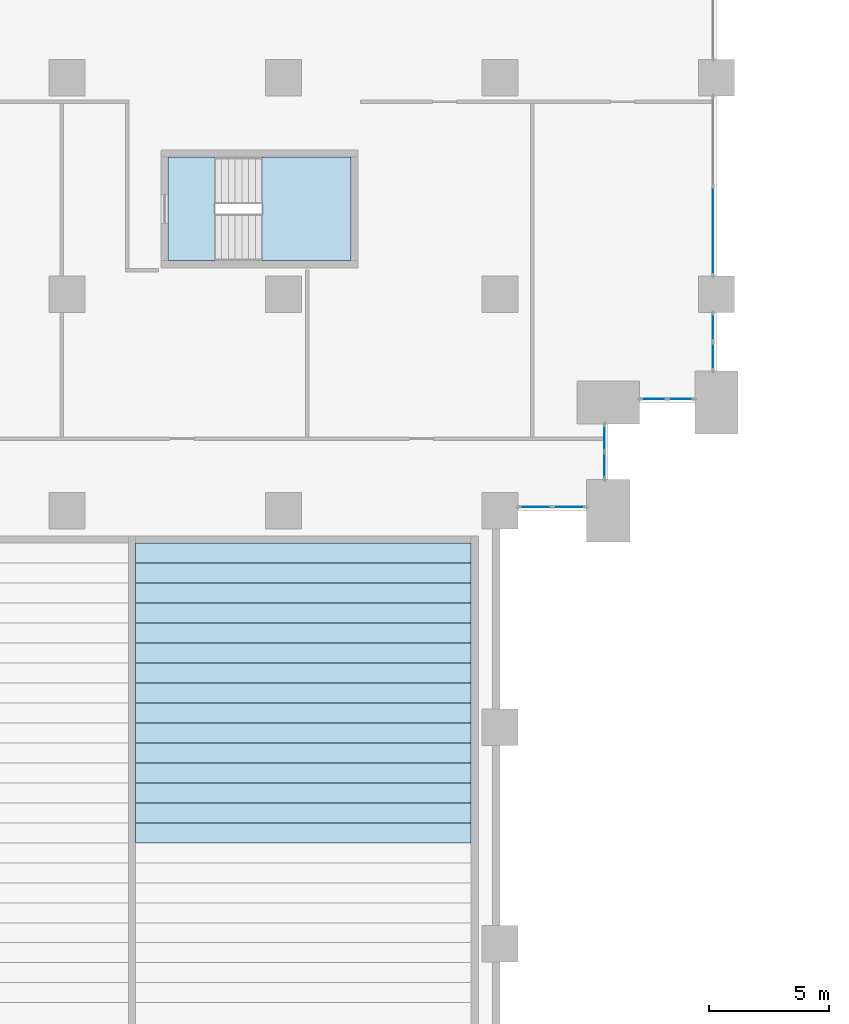
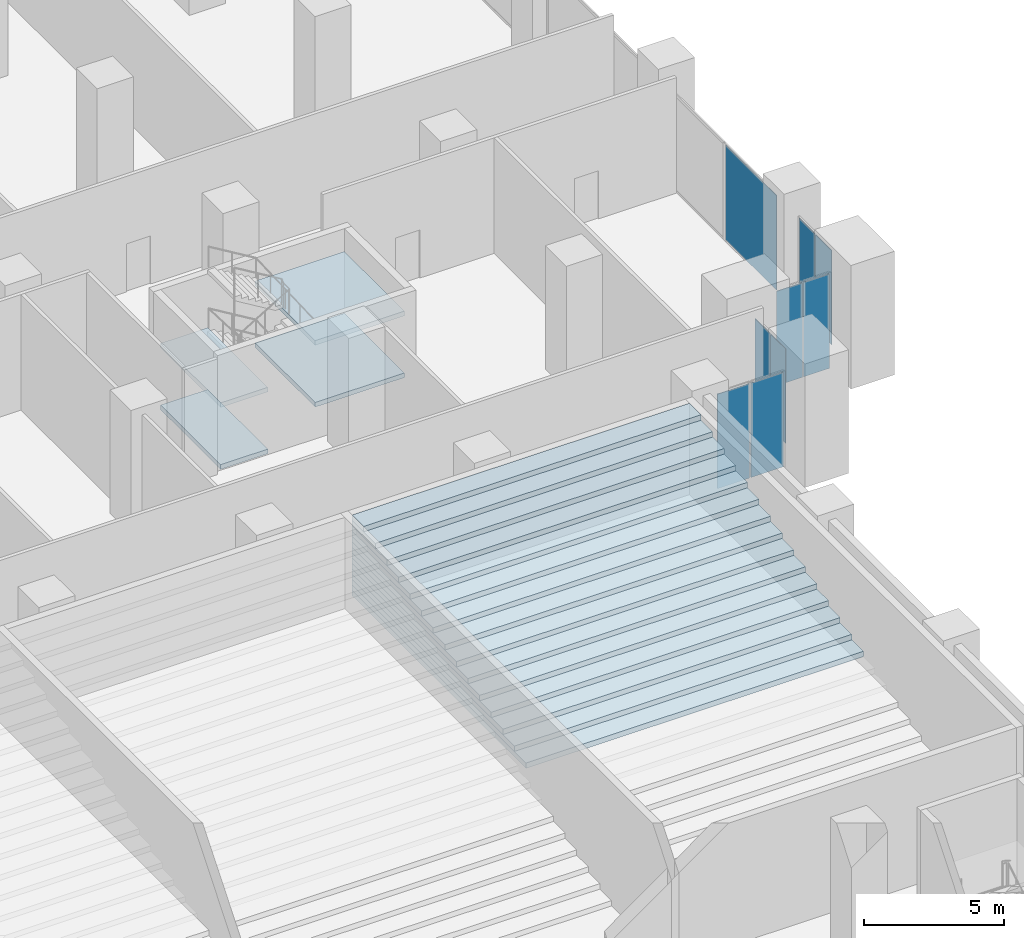
# One storey, part 12 of 44: 19 slabs, 9 plates, 6 elements without a shape of their own.
"""IFC4 building model written with IfcOpenShell, lengths in metres."""

from ifc_helpers import new_model, si_unit, direction, frame, origin, origin_2d, place, context, subcontext, project, spatial, polyline, rectangle, outline, extrude, material, layer, layer_set, type_object, element, aggregate, save


model = new_model("IFC4")

# Units and contexts
model_context = context("Model", 3, precision=1e-05, world=origin(), true_north=direction((0.0, 1.0)))
body_context = subcontext(model_context, "Body", "Model", "MODEL_VIEW")
ifc_project = project(units=[si_unit("LENGTHUNIT", "METRE"), si_unit("AREAUNIT", "SQUARE_METRE"), si_unit("VOLUMEUNIT", "CUBIC_METRE"), si_unit("PLANEANGLEUNIT", "RADIAN"), si_unit("MASSUNIT", "GRAM", prefix="KILO")], contexts=[model_context])

# Site, building, storey
site_placement = place(None, origin())
site = spatial("IfcSite", under=ifc_project, at=site_placement, CompositionType="ELEMENT")
building_placement = place(site_placement, origin())
building = spatial("IfcBuilding", under=site, at=building_placement, Name="Hunhe Ridgeline Campus", CompositionType="ELEMENT")
storey_placement = place(building_placement, frame((0.0, 0.0, 6.0)))
storey = spatial("IfcBuildingStorey", under=building, at=storey_placement, Name="L01", CompositionType="ELEMENT", Elevation=6.0)

# Curtain wall, plates
ifc_material_1 = material(Name="Aluminium and glass", Category="aluminium")
curtain_wall_type = type_object("IfcCurtainWallType", Name="Podium curtain wall CW-2", PredefinedType="NOTDEFINED", material=ifc_material_1)
curtain_wall_1_placement = place(storey_placement, origin())
curtain_wall_1 = element("IfcCurtainWall", 1, at=curtain_wall_1_placement, inside=storey, type_object=curtain_wall_type, Name="L01 podium curtain wall 1", PredefinedType="NOTDEFINED")
ifc_material_2 = material(Name="Clear glass", Category="glass")
ifc_layer_1 = layer(ifc_material_2, 0.028076171875)
ifc_layer_set_1 = layer_set([ifc_layer_1], Name="CW-2 clear glass panel 28")
plate_type = type_object("IfcPlateType", Name="CW-2 clear glass panel 28", PredefinedType="CURTAIN_PANEL", material=ifc_layer_set_1)
plate_1_placement = place(storey_placement, frame((91.4775390625, 54.14990234375, 0.06005859375), z_axis=(0.0, 0.0, 1.0), x_axis=(1.0, 0.0, 0.0)))
plate_1 = element("IfcPlate", 2, at=plate_1_placement, type_object=plate_type, Name="CW2 panel 1.1", PredefinedType="CURTAIN_PANEL", context=body_context, shape_type="SweptSolid", body=[
    extrude(rectangle(XDim=1.3349609375, YDim=0.028076171875, at=origin_2d()), origin(), (0.0, 0.0, 1.0), 4.1298828125),
])
plate_2_placement = place(storey_placement, frame((92.87255859375, 54.14990234375, 0.06005859375), z_axis=(0.0, 0.0, 1.0), x_axis=(1.0, 0.0, 0.0)))
plate_2 = element("IfcPlate", 3, at=plate_2_placement, type_object=plate_type, Name="CW2 panel 2.1", PredefinedType="CURTAIN_PANEL", context=body_context, shape_type="SweptSolid", body=[
    extrude(rectangle(XDim=1.3349609375, YDim=0.028076171875, at=origin_2d()), origin(), (0.0, 0.0, 1.0), 4.1298828125),
])
aggregate(curtain_wall_1, [plate_1, plate_2])

curtain_wall_2_placement = place(storey_placement, origin())
curtain_wall_2 = element("IfcCurtainWall", 4, at=curtain_wall_2_placement, inside=storey, type_object=curtain_wall_type, Name="L01 podium curtain wall 2", PredefinedType="NOTDEFINED")
plate_3_placement = place(storey_placement, frame((94.35009765625, 55.889892578125, 0.06005859375), z_axis=(0.0, 0.0, 1.0), x_axis=(0.0, 1.0, 0.0)))
plate_3 = element("IfcPlate", 5, at=plate_3_placement, type_object=plate_type, Name="CW2 panel 1.1", PredefinedType="CURTAIN_PANEL", context=body_context, shape_type="SweptSolid", body=[
    extrude(rectangle(XDim=1.06005859375, YDim=0.028076171875, at=origin_2d()), origin(), (0.0, 0.0, 1.0), 4.1298828125),
])
plate_4_placement = place(storey_placement, frame((94.35009765625, 57.010009765625, 0.06005859375), z_axis=(0.0, 0.0, 1.0), x_axis=(0.0, 1.0, 0.0)))
plate_4 = element("IfcPlate", 6, at=plate_4_placement, type_object=plate_type, Name="CW2 panel 2.1", PredefinedType="CURTAIN_PANEL", context=body_context, shape_type="SweptSolid", body=[
    extrude(rectangle(XDim=1.06005859375, YDim=0.028076171875, at=origin_2d()), origin(), (0.0, 0.0, 1.0), 4.1298828125),
])
aggregate(curtain_wall_2, [plate_3, plate_4])

curtain_wall_3_placement = place(storey_placement, origin())
curtain_wall_3 = element("IfcCurtainWall", 7, at=curtain_wall_3_placement, inside=storey, type_object=curtain_wall_type, Name="L01 podium curtain wall 3", PredefinedType="NOTDEFINED")
plate_5_placement = place(storey_placement, frame((96.389892578125, 58.64990234375, 0.06005859375), z_axis=(0.0, 0.0, 1.0), x_axis=(1.0, 0.0, 0.0)))
plate_5 = element("IfcPlate", 8, at=plate_5_placement, type_object=plate_type, Name="CW2 panel 1.1", PredefinedType="CURTAIN_PANEL", context=body_context, shape_type="SweptSolid", body=[
    extrude(rectangle(XDim=1.06005859375, YDim=0.028076171875, at=origin_2d()), origin(), (0.0, 0.0, 1.0), 4.1298828125),
])
plate_6_placement = place(storey_placement, frame((97.510009765625, 58.64990234375, 0.06005859375), z_axis=(0.0, 0.0, 1.0), x_axis=(1.0, 0.0, 0.0)))
plate_6 = element("IfcPlate", 9, at=plate_6_placement, type_object=plate_type, Name="CW2 panel 2.1", PredefinedType="CURTAIN_PANEL", context=body_context, shape_type="SweptSolid", body=[
    extrude(rectangle(XDim=1.06005859375, YDim=0.028076171875, at=origin_2d()), origin(), (0.0, 0.0, 1.0), 4.1298828125),
])
aggregate(curtain_wall_3, [plate_5, plate_6])

curtain_wall_4_placement = place(storey_placement, origin())
curtain_wall_4 = element("IfcCurtainWall", 10, at=curtain_wall_4_placement, inside=storey, type_object=curtain_wall_type, Name="L01 podium curtain wall 4", PredefinedType="NOTDEFINED")
plate_7_placement = place(storey_placement, frame((98.85009765625, 60.427490234375, 0.06005859375), z_axis=(0.0, 0.0, 1.0), x_axis=(0.0, 1.0, 0.0)))
plate_7 = element("IfcPlate", 11, at=plate_7_placement, type_object=plate_type, Name="CW2 panel 1.1", PredefinedType="CURTAIN_PANEL", context=body_context, shape_type="SweptSolid", body=[
    extrude(rectangle(XDim=1.135009765625, YDim=0.028076171875, at=origin_2d()), origin(), (0.0, 0.0, 1.0), 4.1298828125),
])
plate_8_placement = place(storey_placement, frame((98.85009765625, 61.62255859375, 0.06005859375), z_axis=(0.0, 0.0, 1.0), x_axis=(0.0, 1.0, 0.0)))
plate_8 = element("IfcPlate", 12, at=plate_8_placement, type_object=plate_type, Name="CW2 panel 2.1", PredefinedType="CURTAIN_PANEL", context=body_context, shape_type="SweptSolid", body=[
    extrude(rectangle(XDim=1.135009765625, YDim=0.028076171875, at=origin_2d()), origin(), (0.0, 0.0, 1.0), 4.1298828125),
])
aggregate(curtain_wall_4, [plate_7, plate_8])

# Curtain wall, plate
curtain_wall_5_placement = place(storey_placement, origin())
curtain_wall_5 = element("IfcCurtainWall", 13, at=curtain_wall_5_placement, inside=storey, type_object=curtain_wall_type, Name="L01 podium curtain wall 5", PredefinedType="NOTDEFINED")
plate_9_placement = place(storey_placement, frame((98.85009765625, 65.639892578125, 0.06005859375), z_axis=(0.0, 0.0, 1.0), x_axis=(0.0, 1.0, 0.0)))
plate_9 = element("IfcPlate", 14, at=plate_9_placement, type_object=plate_type, Name="CW2 panel 1.1", PredefinedType="CURTAIN_PANEL", context=body_context, shape_type="SweptSolid", body=[
    extrude(rectangle(XDim=3.659912109375, YDim=0.028076171875, at=origin_2d()), origin(), (0.0, 0.0, 1.0), 4.1298828125),
])
aggregate(curtain_wall_5, [plate_9])

# Slabs
ifc_material_3 = material(Name="Concrete C40", Category="concrete")
ifc_layer_2 = layer(ifc_material_3, 0.235107421875)
ifc_layer_set_2 = layer_set([ifc_layer_2], Name="Raked seating tier platform C40")
slab_type_1 = type_object("IfcSlabType", Name="Raked seating tier platform C40", PredefinedType="FLOOR", material=ifc_layer_set_2)
slab_1_placement = place(storey_placement, frame((0.0, 0.0, 1.87841796875)))
element("IfcSlab", 15, at=slab_1_placement, inside=storey, type_object=slab_type_1, Name="Lecture Hall C seating tier platform 9", PredefinedType="FLOOR", context=body_context, shape_type="SweptSolid", body=[
    extrude(outline(polyline([(74.85009765625, 40.193603515625), (88.800048828125, 40.193603515625), (88.800048828125, 52.64990234375), (74.85009765625, 52.64990234375), (74.85009765625, 40.193603515625)])), origin(), (0.0, 0.0, 1.0), 0.234619140625),
])
slab_2_placement = place(storey_placement, frame((0.0, 0.0, 2.113037109375)))
element("IfcSlab", 16, at=slab_2_placement, inside=storey, type_object=slab_type_1, Name="Lecture Hall C seating tier platform 10", PredefinedType="FLOOR", context=body_context, shape_type="SweptSolid", body=[
    extrude(outline(polyline([(74.85009765625, 41.02392578125), (88.800048828125, 41.02392578125), (88.800048828125, 52.64990234375), (74.85009765625, 52.64990234375), (74.85009765625, 41.02392578125)])), origin(), (0.0, 0.0, 1.0), 0.23486328125),
])
slab_3_placement = place(storey_placement, frame((0.0, 0.0, 2.347900390625)))
element("IfcSlab", 17, at=slab_3_placement, inside=storey, type_object=slab_type_1, Name="Lecture Hall C seating tier platform 11", PredefinedType="FLOOR", context=body_context, shape_type="SweptSolid", body=[
    extrude(outline(polyline([(74.85009765625, 41.854248046875), (88.800048828125, 41.854248046875), (88.800048828125, 52.64990234375), (74.85009765625, 52.64990234375), (74.85009765625, 41.854248046875)])), origin(), (0.0, 0.0, 1.0), 0.234619140625),
])
slab_4_placement = place(storey_placement, frame((0.0, 0.0, 2.58251953125)))
element("IfcSlab", 18, at=slab_4_placement, inside=storey, type_object=slab_type_1, Name="Lecture Hall C seating tier platform 12", PredefinedType="FLOOR", context=body_context, shape_type="SweptSolid", body=[
    extrude(outline(polyline([(74.85009765625, 42.684814453125), (88.800048828125, 42.684814453125), (88.800048828125, 52.64990234375), (74.85009765625, 52.64990234375), (74.85009765625, 42.684814453125)])), origin(), (0.0, 0.0, 1.0), 0.23486328125),
])
slab_5_placement = place(storey_placement, frame((0.0, 0.0, 2.8173828125)))
element("IfcSlab", 19, at=slab_5_placement, inside=storey, type_object=slab_type_1, Name="Lecture Hall C seating tier platform 13", PredefinedType="FLOOR", context=body_context, shape_type="SweptSolid", body=[
    extrude(outline(polyline([(74.85009765625, 43.51513671875), (88.800048828125, 43.51513671875), (88.800048828125, 52.64990234375), (74.85009765625, 52.64990234375), (74.85009765625, 43.51513671875)])), origin(), (0.0, 0.0, 1.0), 0.23486328125),
])
slab_6_placement = place(storey_placement, frame((0.0, 0.0, 3.05224609375)))
element("IfcSlab", 20, at=slab_6_placement, inside=storey, type_object=slab_type_1, Name="Lecture Hall C seating tier platform 14", PredefinedType="FLOOR", context=body_context, shape_type="SweptSolid", body=[
    extrude(outline(polyline([(74.85009765625, 44.345703125), (88.800048828125, 44.345703125), (88.800048828125, 52.64990234375), (74.85009765625, 52.64990234375), (74.85009765625, 44.345703125)])), origin(), (0.0, 0.0, 1.0), 0.23486328125),
])
slab_7_placement = place(storey_placement, frame((0.0, 0.0, 3.287109375)))
element("IfcSlab", 21, at=slab_7_placement, inside=storey, type_object=slab_type_1, Name="Lecture Hall C seating tier platform 15", PredefinedType="FLOOR", context=body_context, shape_type="SweptSolid", body=[
    extrude(outline(polyline([(74.85009765625, 45.176025390625), (88.800048828125, 45.176025390625), (88.800048828125, 52.64990234375), (74.85009765625, 52.64990234375), (74.85009765625, 45.176025390625)])), origin(), (0.0, 0.0, 1.0), 0.234619140625),
])
slab_8_placement = place(storey_placement, frame((0.0, 0.0, 3.521728515625)))
element("IfcSlab", 22, at=slab_8_placement, inside=storey, type_object=slab_type_1, Name="Lecture Hall C seating tier platform 16", PredefinedType="FLOOR", context=body_context, shape_type="SweptSolid", body=[
    extrude(outline(polyline([(74.85009765625, 46.006591796875), (88.800048828125, 46.006591796875), (88.800048828125, 52.64990234375), (74.85009765625, 52.64990234375), (74.85009765625, 46.006591796875)])), origin(), (0.0, 0.0, 1.0), 0.23486328125),
])
slab_9_placement = place(storey_placement, frame((0.0, 0.0, 3.756591796875)))
element("IfcSlab", 23, at=slab_9_placement, inside=storey, type_object=slab_type_1, Name="Lecture Hall C seating tier platform 17", PredefinedType="FLOOR", context=body_context, shape_type="SweptSolid", body=[
    extrude(outline(polyline([(74.85009765625, 46.8369140625), (88.800048828125, 46.8369140625), (88.800048828125, 52.64990234375), (74.85009765625, 52.64990234375), (74.85009765625, 46.8369140625)])), origin(), (0.0, 0.0, 1.0), 0.234619140625),
])
slab_10_placement = place(storey_placement, frame((0.0, 0.0, 3.9912109375)))
element("IfcSlab", 24, at=slab_10_placement, inside=storey, type_object=slab_type_1, Name="Lecture Hall C seating tier platform 18", PredefinedType="FLOOR", context=body_context, shape_type="SweptSolid", body=[
    extrude(outline(polyline([(74.85009765625, 47.66748046875), (88.800048828125, 47.66748046875), (88.800048828125, 52.64990234375), (74.85009765625, 52.64990234375), (74.85009765625, 47.66748046875)])), origin(), (0.0, 0.0, 1.0), 0.23486328125),
])
slab_11_placement = place(storey_placement, frame((0.0, 0.0, 4.22607421875)))
element("IfcSlab", 25, at=slab_11_placement, inside=storey, type_object=slab_type_1, Name="Lecture Hall C seating tier platform 19", PredefinedType="FLOOR", context=body_context, shape_type="SweptSolid", body=[
    extrude(outline(polyline([(74.85009765625, 48.497802734375), (88.800048828125, 48.497802734375), (88.800048828125, 52.64990234375), (74.85009765625, 52.64990234375), (74.85009765625, 48.497802734375)])), origin(), (0.0, 0.0, 1.0), 0.23486328125),
])
slab_12_placement = place(storey_placement, frame((0.0, 0.0, 4.4609375)))
element("IfcSlab", 26, at=slab_12_placement, inside=storey, type_object=slab_type_1, Name="Lecture Hall C seating tier platform 20", PredefinedType="FLOOR", context=body_context, shape_type="SweptSolid", body=[
    extrude(outline(polyline([(74.85009765625, 49.328369140625), (88.800048828125, 49.328369140625), (88.800048828125, 52.64990234375), (74.85009765625, 52.64990234375), (74.85009765625, 49.328369140625)])), origin(), (0.0, 0.0, 1.0), 0.23486328125),
])
slab_13_placement = place(storey_placement, frame((0.0, 0.0, 4.69580078125)))
element("IfcSlab", 27, at=slab_13_placement, inside=storey, type_object=slab_type_1, Name="Lecture Hall C seating tier platform 21", PredefinedType="FLOOR", context=body_context, shape_type="SweptSolid", body=[
    extrude(outline(polyline([(74.85009765625, 50.15869140625), (88.800048828125, 50.15869140625), (88.800048828125, 52.64990234375), (74.85009765625, 52.64990234375), (74.85009765625, 50.15869140625)])), origin(), (0.0, 0.0, 1.0), 0.234619140625),
])
slab_14_placement = place(storey_placement, frame((0.0, 0.0, 4.930419921875)))
element("IfcSlab", 28, at=slab_14_placement, inside=storey, type_object=slab_type_1, Name="Lecture Hall C seating tier platform 22", PredefinedType="FLOOR", context=body_context, shape_type="SweptSolid", body=[
    extrude(outline(polyline([(74.85009765625, 50.989013671875), (88.800048828125, 50.989013671875), (88.800048828125, 52.64990234375), (74.85009765625, 52.64990234375), (74.85009765625, 50.989013671875)])), origin(), (0.0, 0.0, 1.0), 0.23486328125),
])
slab_15_placement = place(storey_placement, frame((0.0, 0.0, 5.165283203125)))
element("IfcSlab", 29, at=slab_15_placement, inside=storey, type_object=slab_type_1, Name="Lecture Hall C seating tier platform 23", PredefinedType="FLOOR", context=body_context, shape_type="SweptSolid", body=[
    extrude(outline(polyline([(74.85009765625, 51.819580078125), (88.800048828125, 51.819580078125), (88.800048828125, 52.64990234375), (74.85009765625, 52.64990234375), (74.85009765625, 51.819580078125)])), origin(), (0.0, 0.0, 1.0), 0.234619140625),
])

# Stair, slabs
stair_type = type_object("IfcStairType", Name="Reinforced concrete dog-leg stair 1950 Concrete C40", PredefinedType="HALF_TURN_STAIR", material=ifc_material_3)
stair_placement = place(storey_placement, origin())
stair = element("IfcStair", 30, at=stair_placement, inside=storey, type_object=stair_type, Name="L01 E5", PredefinedType="HALF_TURN_STAIR")
ifc_layer_3 = layer(ifc_material_3, 0.199951171875)
ifc_layer_set_3 = layer_set([ifc_layer_3], Name="Reinforced concrete stair landing 200 Concrete C40")
slab_type_2 = type_object("IfcSlabType", Name="Reinforced concrete stair landing 200 Concrete C40", PredefinedType="LANDING", material=ifc_layer_set_3)
slab_16_placement = place(storey_placement, frame((0.0, 0.0, 1.14990234375)))
slab_16 = element("IfcSlab", 31, at=slab_16_placement, type_object=slab_type_2, Name="ST10 landing 1", PredefinedType="LANDING", context=body_context, shape_type="SweptSolid", body=[
    extrude(outline(polyline([(80.110107421875, 64.39990234375), (83.800048828125, 64.39990234375), (83.800048828125, 68.699951171875), (80.110107421875, 68.699951171875), (80.110107421875, 64.39990234375)])), origin(), (0.0, 0.0, 1.0), 0.2001953125),
])
slab_17_placement = place(storey_placement, frame((0.0, 0.0, 2.5)))
slab_17 = element("IfcSlab", 32, at=slab_17_placement, type_object=slab_type_2, Name="ST10 landing 2", PredefinedType="LANDING", context=body_context, shape_type="SweptSolid", body=[
    extrude(outline(polyline([(76.199951171875, 64.39990234375), (78.14990234375, 64.39990234375), (78.14990234375, 68.699951171875), (76.199951171875, 68.699951171875), (76.199951171875, 64.39990234375)])), origin(), (0.0, 0.0, 1.0), 0.199951171875),
])
slab_18_placement = place(storey_placement, frame((0.0, 0.0, 3.85009765625)))
slab_18 = element("IfcSlab", 33, at=slab_18_placement, type_object=slab_type_2, Name="ST10 landing 3", PredefinedType="LANDING", context=body_context, shape_type="SweptSolid", body=[
    extrude(outline(polyline([(80.110107421875, 64.39990234375), (83.800048828125, 64.39990234375), (83.800048828125, 68.699951171875), (80.110107421875, 68.699951171875), (80.110107421875, 64.39990234375)])), origin(), (0.0, 0.0, 1.0), 0.199951171875),
])
aggregate(stair, [slab_16, slab_17, slab_18])

# Slab
slab_19_placement = place(storey_placement, frame((0.0, 0.0, -0.199951171875)))
element("IfcSlab", 34, at=slab_19_placement, inside=storey, type_object=slab_type_2, Name="L01 stair E5 floor landing", PredefinedType="LANDING", context=body_context, shape_type="SweptSolid", body=[
    extrude(outline(polyline([(76.199951171875, 64.39990234375), (78.14990234375, 64.39990234375), (78.14990234375, 68.699951171875), (76.199951171875, 68.699951171875), (76.199951171875, 64.39990234375)])), origin(), (0.0, 0.0, 1.0), 0.199951171875),
])

save(model, "model.ifc")
